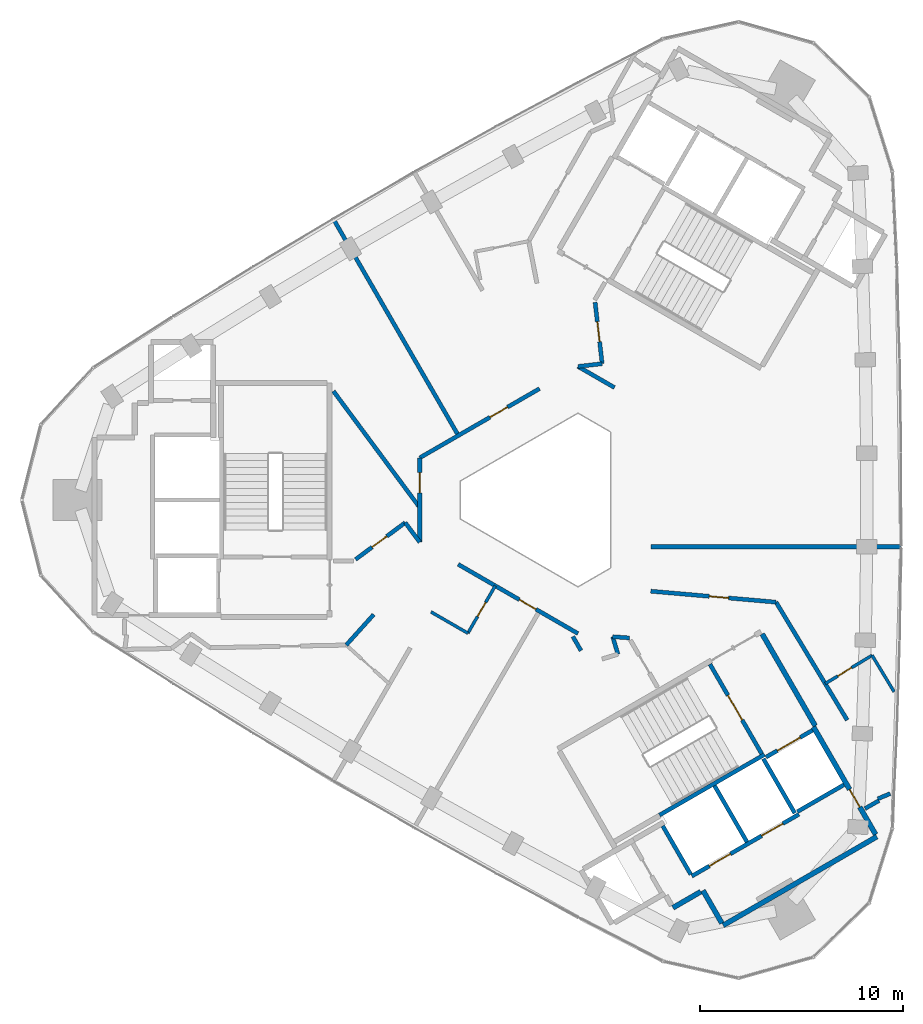
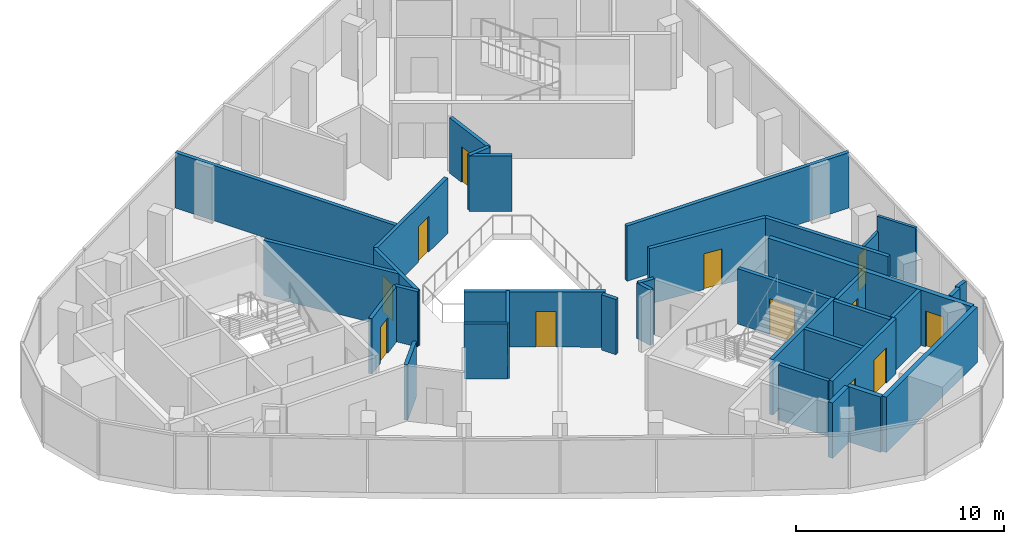
# One storey, part 7 of 10: 36 walls, 13 doors, 13 openings.
"""IFC4 building model written with IfcOpenShell, lengths in metres."""

from ifc_helpers import new_model, si_unit, direction, frame, frame_2d, origin, place, context, subcontext, project, spatial, rectangle, extrude, material, layer, layer_set, type_object, element, fill, save


model = new_model("IFC4")

# Units and contexts
model_context = context("Model", 3, precision=1e-05, world=origin(), true_north=direction((0.0, 1.0)))
body_context = subcontext(model_context, "Body", "Model", "MODEL_VIEW")
ifc_project = project(units=[si_unit("LENGTHUNIT", "METRE"), si_unit("AREAUNIT", "SQUARE_METRE"), si_unit("VOLUMEUNIT", "CUBIC_METRE"), si_unit("PLANEANGLEUNIT", "RADIAN"), si_unit("MASSUNIT", "GRAM", prefix="KILO")], contexts=[model_context])

# Site, building, storey
site_placement = place(None, origin())
site = spatial("IfcSite", under=ifc_project, at=site_placement, CompositionType="ELEMENT")
building_placement = place(site_placement, origin())
building = spatial("IfcBuilding", under=site, at=building_placement, Name="Tamra Quay Hotel Tower", CompositionType="ELEMENT")
storey_placement = place(building_placement, frame((0.0, 0.0, 294.60009765625)))
storey = spatial("IfcBuildingStorey", under=building, at=storey_placement, Name="L74", CompositionType="ELEMENT", Elevation=294.60009765625)

# Wall
ifc_material_1 = material(Name="Concrete M70", Category="concrete")
ifc_layer_1 = layer(ifc_material_1, 0.199951171875)
ifc_layer_set_1 = layer_set([ifc_layer_1], Name="Concrete M70 core wall 200")
wall_type_1 = type_object("IfcWallType", Name="Concrete M70 core wall 200", PredefinedType="SHEAR", material=ifc_layer_set_1)
wall_1_placement = place(storey_placement, frame((5.4189453125, -15.533935546875, 0.0), z_axis=(0.0, 0.0, 1.0), x_axis=(0.866029065029, 0.499993658486, 0.0)))
element("IfcWall", 1, at=wall_1_placement, inside=storey, type_object=wall_type_1, Name="CW2", PredefinedType="SHEAR", context=body_context, shape_type="SweptSolid", body=[
    extrude(rectangle(XDim=5.97412109375, YDim=0.199951171875, at=frame_2d((2.987060546875, 0.0))), origin(), (0.0, 0.0, 1.0), 3.25),
])

# Wall, openings, doors
wall_2_placement = place(storey_placement, frame((7.009765625, -18.54150390625, 0.0), z_axis=(0.0, 0.0, 1.0), x_axis=(0.866030299012, 0.499991521122, 0.0)))
wall_2 = element("IfcWall", 2, at=wall_2_placement, inside=storey, type_object=wall_type_1, Name="CW2", PredefinedType="SHEAR", context=body_context, shape_type="SweptSolid", body=[
    extrude(rectangle(XDim=6.10009765625, YDim=0.199951171875, at=frame_2d((3.050048828125, 0.0))), origin(), (0.0, 0.0, 1.0), 3.25),
])
opening_1_placement = place(wall_2_placement, frame((1.0, 0.0, 0.0)))
opening_1 = element("IfcOpeningElement", 3, at=opening_1_placement, cuts=wall_2, Name="Opening LD", PredefinedType="OPENING", context=body_context, shape_type="SweptSolid", body=[
    extrude(rectangle(XDim=1.199951171875, YDim=2.10009765625, at=frame_2d((0.60009765625, 1.050048828125))), frame((0.0, 0.10986328125, 0.0), z_axis=(0.0, -1.0, 0.0), x_axis=(1.0, 0.0, 0.0)), (0.0, 0.0, 1.0), 0.219970703125),
])
opening_2_placement = place(wall_2_placement, frame((3.982177734375, 0.0, 0.0)))
opening_2 = element("IfcOpeningElement", 4, at=opening_2_placement, cuts=wall_2, Name="Opening LD", PredefinedType="OPENING", context=body_context, shape_type="SweptSolid", body=[
    extrude(rectangle(XDim=1.199951171875, YDim=2.10009765625, at=frame_2d((0.60009765625, 1.050048828125))), frame((0.0, 0.10986328125, 0.0), z_axis=(0.0, -1.0, 0.0), x_axis=(1.0, 0.0, 0.0)), (0.0, 0.0, 1.0), 0.219970703125),
])
ifc_material_2 = material(Name="Landing door LD 1200 double door sliding")
door_type_1 = type_object("IfcDoorType", Name="Landing door LD 1200 double door sliding", OperationType="DOUBLE_DOOR_SLIDING", PredefinedType="DOOR", material=ifc_material_2)
door_1_placement = place(opening_1_placement, origin())
door_1 = element("IfcDoor", 5, at=door_1_placement, inside=storey, type_object=door_type_1, Name="LD", OperationType="DOUBLE_DOOR_SLIDING", OverallHeight=2.10009765625, OverallWidth=1.199951171875, PredefinedType="DOOR", context=body_context, shape_type="SweptSolid", body=[
    extrude(rectangle(XDim=1.199951171875, YDim=2.10009765625, at=frame_2d((0.60009765625, 1.050048828125))), frame((0.0, 0.02490234375, 0.0), z_axis=(0.0, -1.0, 0.0), x_axis=(1.0, 0.0, 0.0)), (0.0, 0.0, 1.0), 0.050048828125),
])
fill(opening_1, door_1)
door_2_placement = place(opening_2_placement, origin())
door_2 = element("IfcDoor", 6, at=door_2_placement, inside=storey, type_object=door_type_1, Name="LD", OperationType="DOUBLE_DOOR_SLIDING", OverallHeight=2.10009765625, OverallWidth=1.199951171875, PredefinedType="DOOR", context=body_context, shape_type="SweptSolid", body=[
    extrude(rectangle(XDim=1.199951171875, YDim=2.10009765625, at=frame_2d((0.60009765625, 1.050048828125))), frame((0.0, 0.02490234375, 0.0), z_axis=(0.0, -1.0, 0.0), x_axis=(1.0, 0.0, 0.0)), (0.0, 0.0, 1.0), 0.050048828125),
])
fill(opening_2, door_2)

# Wall, opening, door
wall_3_placement = place(storey_placement, frame((7.906494140625, -8.094482421875, 0.0), z_axis=(0.0, 0.0, 1.0), x_axis=(0.500027839223, -0.866009330205, 0.0)))
wall_3 = element("IfcWall", 7, at=wall_3_placement, inside=storey, type_object=wall_type_1, Name="CW2", PredefinedType="SHEAR", context=body_context, shape_type="SweptSolid", body=[
    extrude(rectangle(XDim=5.097900390625, YDim=0.199951171875, at=frame_2d((2.548828125, 0.0))), origin(), (0.0, 0.0, 1.0), 3.25),
])
opening_3_placement = place(wall_3_placement, frame((1.77392578125, 0.0, 0.0)))
opening_3 = element("IfcOpeningElement", 8, at=opening_3_placement, cuts=wall_3, Name="Opening FD2", PredefinedType="OPENING", context=body_context, shape_type="SweptSolid", body=[
    extrude(rectangle(XDim=1.39990234375, YDim=2.10009765625, at=frame_2d((0.699951171875, 1.050048828125))), frame((0.0, 0.10986328125, 0.0), z_axis=(0.0, -1.0, 0.0), x_axis=(1.0, 0.0, 0.0)), (0.0, 0.0, 1.0), 0.219970703125),
])
ifc_material_3 = material(Name="Core door FD2 1400x2100 LH")
door_type_2 = type_object("IfcDoorType", Name="Core door FD2 1400x2100 LH", OperationType="NOTDEFINED", PredefinedType="DOOR", material=ifc_material_3)
door_3_placement = place(opening_3_placement, origin())
door_3 = element("IfcDoor", 9, at=door_3_placement, inside=storey, type_object=door_type_2, Name="FD2", OperationType="SINGLE_SWING_LEFT", OverallHeight=2.10009765625, OverallWidth=1.39990234375, PredefinedType="DOOR", context=body_context, shape_type="SweptSolid", body=[
    extrude(rectangle(XDim=1.39990234375, YDim=2.10009765625, at=frame_2d((0.699951171875, 1.050048828125))), frame((0.0, 0.02490234375, 0.0), z_axis=(0.0, -1.0, 0.0), x_axis=(1.0, 0.0, 0.0)), (0.0, 0.0, 1.0), 0.050048828125),
])
fill(opening_3, door_3)

# Walls
wall_4_placement = place(storey_placement, frame((8.131591796875, -14.084228515625, 0.0), z_axis=(0.0, 0.0, 1.0), x_axis=(0.499997778408, -0.866026686418, 0.0)))
element("IfcWall", 10, at=wall_4_placement, inside=storey, type_object=wall_type_1, Name="CW2", PredefinedType="SHEAR", context=body_context, shape_type="SweptSolid", body=[
    extrude(rectangle(XDim=3.1982421875, YDim=0.199951171875, at=frame_2d((1.59912109375, 0.0))), origin(), (0.0, 0.0, 1.0), 3.25),
])
wall_5_placement = place(storey_placement, frame((6.959716796875, -18.455078125, 0.0), z_axis=(0.0, 0.0, 1.0), x_axis=(-0.499926705758, 0.866067716099, 0.0)))
element("IfcWall", 11, at=wall_5_placement, inside=storey, type_object=wall_type_1, Name="CW2", PredefinedType="SHEAR", context=body_context, shape_type="SweptSolid", body=[
    extrude(rectangle(XDim=2.75927734375, YDim=0.199951171875, at=frame_2d((1.379638671875, 0.0))), origin(), (0.0, 0.0, 1.0), 3.25),
])
wall_6_placement = place(storey_placement, frame((12.087646484375, -15.4365234375, 0.0), z_axis=(0.0, 0.0, 1.0), x_axis=(-0.500026960575, 0.86600983753, 0.0)))
element("IfcWall", 12, at=wall_6_placement, inside=storey, type_object=wall_type_1, Name="CW2", PredefinedType="SHEAR", context=body_context, shape_type="SweptSolid", body=[
    extrude(rectangle(XDim=3.099853515625, YDim=0.199951171875, at=frame_2d((1.5498046875, 0.0))), origin(), (0.0, 0.0, 1.0), 3.25),
])

# Wall, opening, door
wall_7_placement = place(storey_placement, frame((10.666015625, -12.677734375, 0.0), z_axis=(0.0, 0.0, 1.0), x_axis=(0.866018407898, 0.500012117035, 0.0)))
wall_7 = element("IfcWall", 13, at=wall_7_placement, inside=storey, type_object=wall_type_1, Name="CW2", PredefinedType="SHEAR", context=body_context, shape_type="SweptSolid", body=[
    extrude(rectangle(XDim=2.65087890625, YDim=0.199951171875, at=frame_2d((1.325439453125, 0.0))), origin(), (0.0, 0.0, 1.0), 3.25),
])
opening_4_placement = place(wall_7_placement, frame((0.65185546875, 0.0, 0.0)))
opening_4 = element("IfcOpeningElement", 14, at=opening_4_placement, cuts=wall_7, Name="Opening LD", PredefinedType="OPENING", context=body_context, shape_type="SweptSolid", body=[
    extrude(rectangle(XDim=1.300048828125, YDim=2.10009765625, at=frame_2d((0.64990234375, 1.050048828125))), frame((0.0, 0.10986328125, 0.0), z_axis=(0.0, -1.0, 0.0), x_axis=(1.0, 0.0, 0.0)), (0.0, 0.0, 1.0), 0.219970703125),
])
ifc_material_4 = material(Name="Landing door LD 1300 sliding to left")
door_type_3 = type_object("IfcDoorType", Name="Landing door LD 1300 sliding to left", OperationType="NOTDEFINED", PredefinedType="DOOR", material=ifc_material_4)
door_4_placement = place(opening_4_placement, origin())
door_4 = element("IfcDoor", 15, at=door_4_placement, inside=storey, type_object=door_type_3, Name="LD", OperationType="SLIDING_TO_LEFT", OverallHeight=2.10009765625, OverallWidth=1.300048828125, PredefinedType="DOOR", context=body_context, shape_type="SweptSolid", body=[
    extrude(rectangle(XDim=1.300048828125, YDim=2.10009765625, at=frame_2d((0.64990234375, 1.050048828125))), frame((0.0, 0.02490234375, 0.0), z_axis=(0.0, -1.0, 0.0), x_axis=(1.0, 0.0, 0.0)), (0.0, 0.0, 1.0), 0.050048828125),
])
fill(opening_4, door_4)

# Walls
wall_8_placement = place(storey_placement, frame((14.51171875, -14.037109375, 0.0), z_axis=(0.0, 0.0, 1.0), x_axis=(-0.866018407898, -0.500012117035, 0.0)))
element("IfcWall", 16, at=wall_8_placement, inside=storey, type_object=wall_type_1, Name="CW2", PredefinedType="SHEAR", context=body_context, shape_type="SweptSolid", body=[
    extrude(rectangle(XDim=2.65087890625, YDim=0.199951171875, at=frame_2d((1.325439453125, 0.0))), origin(), (0.0, 0.0, 1.0), 3.25),
])
ifc_layer_2 = layer(ifc_material_1, 0.25)
ifc_layer_set_2 = layer_set([ifc_layer_2], Name="Concrete M70 core wall 250")
wall_type_2 = type_object("IfcWallType", Name="Concrete M70 core wall 250", PredefinedType="SHEAR", material=ifc_layer_set_2)
wall_9_placement = place(storey_placement, frame((16.13330078125, -16.59375, 0.0), z_axis=(0.0, 0.0, 1.0), x_axis=(-0.866022959057, -0.500004234368, 0.0)))
element("IfcWall", 17, at=wall_9_placement, inside=storey, type_object=wall_type_2, Name="CW1", PredefinedType="SHEAR", context=body_context, shape_type="SweptSolid", body=[
    extrude(rectangle(XDim=8.75, YDim=0.25, at=frame_2d((4.375, 0.0))), origin(), (0.0, 0.0, 1.0), 3.25),
])

# Wall, opening, door
wall_10_placement = place(storey_placement, frame((13.00830078125, -11.18115234375, 0.0), z_axis=(0.0, 0.0, 1.0), x_axis=(0.500001955336, -0.866024274868, 0.0)))
wall_10 = element("IfcWall", 18, at=wall_10_placement, inside=storey, type_object=wall_type_2, Name="CW1", PredefinedType="SHEAR", context=body_context, shape_type="SweptSolid", body=[
    extrude(rectangle(XDim=6.12451171875, YDim=0.25, at=frame_2d((3.062255859375, 0.0))), origin(), (0.0, 0.0, 1.0), 3.25),
])
opening_5_placement = place(wall_10_placement, frame((3.562744140625, 0.0, 0.0)))
opening_5 = element("IfcOpeningElement", 19, at=opening_5_placement, cuts=wall_10, Name="Opening FD3", PredefinedType="OPENING", context=body_context, shape_type="SweptSolid", body=[
    extrude(rectangle(XDim=1.0, YDim=2.10009765625, at=frame_2d((0.5, 1.050048828125))), frame((0.0, 0.135009765625, 0.0), z_axis=(0.0, -1.0, 0.0), x_axis=(1.0, 0.0, 0.0)), (0.0, 0.0, 1.0), 0.27001953125),
])
ifc_material_5 = material(Name="Core door FD3 1000x2100 LH")
door_type_4 = type_object("IfcDoorType", Name="Core door FD3 1000x2100 LH", OperationType="NOTDEFINED", PredefinedType="DOOR", material=ifc_material_5)
door_5_placement = place(opening_5_placement, origin())
door_5 = element("IfcDoor", 20, at=door_5_placement, inside=storey, type_object=door_type_4, Name="FD3", OperationType="SINGLE_SWING_LEFT", OverallHeight=2.10009765625, OverallWidth=1.0, PredefinedType="DOOR", context=body_context, shape_type="SweptSolid", body=[
    extrude(rectangle(XDim=1.0, YDim=2.10009765625, at=frame_2d((0.5, 1.050048828125))), frame((0.0, 0.02490234375, 0.0), z_axis=(0.0, -1.0, 0.0), x_axis=(1.0, 0.0, 0.0)), (0.0, 0.0, 1.0), 0.050048828125),
])
fill(opening_5, door_5)

# Walls
wall_11_placement = place(storey_placement, frame((10.482666015625, -6.6064453125, 0.0), z_axis=(0.0, 0.0, 1.0), x_axis=(0.49999885962, -0.866026062182, 0.0)))
element("IfcWall", 21, at=wall_11_placement, inside=storey, type_object=wall_type_2, Name="CW1", PredefinedType="SHEAR", context=body_context, shape_type="SweptSolid", body=[
    extrude(rectangle(XDim=5.224609375, YDim=0.25, at=frame_2d((2.6123046875, 0.0))), origin(), (0.0, 0.0, 1.0), 3.25),
])
wall_12_placement = place(storey_placement, frame((8.492919921875, -20.860107421875, 0.0), z_axis=(0.0, 0.0, 1.0), x_axis=(-0.500039802285, 0.866002422705, 0.0)))
element("IfcWall", 22, at=wall_12_placement, inside=storey, type_object=wall_type_2, Name="CW1", PredefinedType="SHEAR", context=body_context, shape_type="SweptSolid", body=[
    extrude(rectangle(XDim=1.864501953125, YDim=0.25, at=frame_2d((0.93212890625, 0.0))), origin(), (0.0, 0.0, 1.0), 3.25),
])
wall_13_placement = place(storey_placement, frame((7.451904296875, -19.30810546875, 0.0), z_axis=(0.0, 0.0, 1.0), x_axis=(-0.866044474677, -0.49996696679, 0.0)))
element("IfcWall", 23, at=wall_13_placement, inside=storey, type_object=wall_type_2, Name="CW1", PredefinedType="SHEAR", context=body_context, shape_type="SweptSolid", body=[
    extrude(rectangle(XDim=1.58447265625, YDim=0.25, at=frame_2d((0.792236328125, 0.0))), origin(), (0.0, 0.0, 1.0), 3.25),
])
ifc_material_6 = material(Name="Partition corridor wall")
ifc_layer_3 = layer(ifc_material_6, 0.199951171875)
ifc_layer_set_3 = layer_set([ifc_layer_3], Name="Partition corridor wall")
wall_type_3 = type_object("IfcWallType", Name="Partition corridor wall", PredefinedType="PARTITIONING", material=ifc_layer_set_3)
wall_14_placement = place(storey_placement, frame((-10.02294921875, -7.15087890625, 0.0), z_axis=(0.0, 0.0, 1.0), x_axis=(0.668804583793, 0.743438248073, 0.0)))
element("IfcWall", 24, at=wall_14_placement, inside=storey, type_object=wall_type_3, Name="W-C", PredefinedType="PARTITIONING", context=body_context, shape_type="SweptSolid", body=[
    extrude(rectangle(XDim=2.021484375, YDim=0.199951171875, at=frame_2d((1.0107421875, 0.0))), origin(), (0.0, 0.0, 1.0), 3.25),
])

# Wall, opening, door
wall_15_placement = place(storey_placement, frame((-7.114990234375, -1.114990234375, 0.0), z_axis=(0.0, 0.0, 1.0), x_axis=(-0.803344165632, -0.595515030495, 0.0)))
wall_15 = element("IfcWall", 25, at=wall_15_placement, inside=storey, type_object=wall_type_3, Name="W-C", PredefinedType="PARTITIONING", context=body_context, shape_type="SweptSolid", body=[
    extrude(rectangle(XDim=3.046142578125, YDim=0.199951171875, at=frame_2d((1.52294921875, 0.0))), origin(), (0.0, 0.0, 1.0), 3.25),
])
opening_6_placement = place(wall_15_placement, frame((1.1328125, 0.0, 0.0)))
opening_6 = element("IfcOpeningElement", 26, at=opening_6_placement, cuts=wall_15, Name="Opening L74-D008", PredefinedType="OPENING", context=body_context, shape_type="SweptSolid", body=[
    extrude(rectangle(XDim=0.89990234375, YDim=2.10009765625, at=frame_2d((0.449951171875, 1.050048828125))), frame((0.0, 0.10986328125, 0.0), z_axis=(0.0, -1.0, 0.0), x_axis=(1.0, 0.0, 0.0)), (0.0, 0.0, 1.0), 0.219970703125),
])
ifc_material_7 = material(Name="Door service room 900x2100")
door_type_5 = type_object("IfcDoorType", Name="Door service room 900x2100", OperationType="NOTDEFINED", PredefinedType="DOOR", material=ifc_material_7)
door_6_placement = place(opening_6_placement, origin())
door_6 = element("IfcDoor", 27, at=door_6_placement, inside=storey, type_object=door_type_5, Name="L74-D008", OperationType="SINGLE_SWING_LEFT", OverallHeight=2.10009765625, OverallWidth=0.89990234375, PredefinedType="DOOR", context=body_context, shape_type="SweptSolid", body=[
    extrude(rectangle(XDim=0.89990234375, YDim=2.10009765625, at=frame_2d((0.449951171875, 1.050048828125))), frame((0.0, 0.02490234375, 0.0), z_axis=(0.0, -1.0, 0.0), x_axis=(1.0, 0.0, 0.0)), (0.0, 0.0, 1.0), 0.050048828125),
])
fill(opening_6, door_6)

# Wall
wall_16_placement = place(storey_placement, frame((-7.114013671875, -1.114990234375, 0.0), z_axis=(0.0, 0.0, 1.0), x_axis=(0.595690139668, -0.803214328496, 0.0)))
element("IfcWall", 28, at=wall_16_placement, inside=storey, type_object=wall_type_3, Name="W-C", PredefinedType="PARTITIONING", context=body_context, shape_type="SweptSolid", body=[
    extrude(rectangle(XDim=1.19873046875, YDim=0.199951171875, at=frame_2d((0.599365234375, 0.0))), origin(), (0.0, 0.0, 1.0), 3.25),
])

# Wall, opening, door
wall_17_placement = place(storey_placement, frame((-6.39990234375, 2.0791015625, 0.0), z_axis=(0.0, 0.0, 1.0), x_axis=(0.866037708501, 0.499978687001, 0.0)))
wall_17 = element("IfcWall", 29, at=wall_17_placement, inside=storey, type_object=wall_type_3, Name="W-C", PredefinedType="PARTITIONING", context=body_context, shape_type="SweptSolid", body=[
    extrude(rectangle(XDim=6.818115234375, YDim=0.199951171875, at=frame_2d((3.4091796875, 0.0))), origin(), (0.0, 0.0, 1.0), 3.25),
])
opening_7_placement = place(wall_17_placement, frame((4.003173828125, 0.0, 0.0)))
opening_7 = element("IfcOpeningElement", 30, at=opening_7_placement, cuts=wall_17, Name="Opening L74-D006", PredefinedType="OPENING", context=body_context, shape_type="SweptSolid", body=[
    extrude(rectangle(XDim=1.0, YDim=2.10009765625, at=frame_2d((0.5, 1.050048828125))), frame((0.0, 0.10986328125, 0.0), z_axis=(0.0, -1.0, 0.0), x_axis=(1.0, 0.0, 0.0)), (0.0, 0.0, 1.0), 0.219970703125),
])
ifc_material_8 = material(Name="Door guest room 1000x2100")
door_type_6 = type_object("IfcDoorType", Name="Door guest room 1000x2100", OperationType="NOTDEFINED", PredefinedType="DOOR", material=ifc_material_8)
door_7_placement = place(opening_7_placement, origin())
door_7 = element("IfcDoor", 31, at=door_7_placement, inside=storey, type_object=door_type_6, Name="L74-D006", OperationType="SINGLE_SWING_LEFT", OverallHeight=2.10009765625, OverallWidth=1.0, PredefinedType="DOOR", context=body_context, shape_type="SweptSolid", body=[
    extrude(rectangle(XDim=1.0, YDim=2.10009765625, at=frame_2d((0.5, 1.050048828125))), frame((0.0, 0.02490234375, 0.0), z_axis=(0.0, -1.0, 0.0), x_axis=(1.0, 0.0, 0.0)), (0.0, 0.0, 1.0), 0.050048828125),
])
fill(opening_7, door_7)

wall_18_placement = place(storey_placement, frame((-6.39990234375, -2.077880859375, 0.0), z_axis=(0.0, 0.0, 1.0), x_axis=(0.0, 1.0, 0.0)))
wall_18 = element("IfcWall", 32, at=wall_18_placement, inside=storey, type_object=wall_type_3, Name="W-C", PredefinedType="PARTITIONING", context=body_context, shape_type="SweptSolid", body=[
    extrude(rectangle(XDim=4.156982421875, YDim=0.199951171875, at=frame_2d((2.07861328125, 0.0))), origin(), (0.0, 0.0, 1.0), 3.25),
])
opening_8_placement = place(wall_18_placement, frame((2.426025390625, 0.0, 0.0)))
opening_8 = element("IfcOpeningElement", 33, at=opening_8_placement, cuts=wall_18, Name="Opening L74-D007", PredefinedType="OPENING", context=body_context, shape_type="SweptSolid", body=[
    extrude(rectangle(XDim=1.0, YDim=2.10009765625, at=frame_2d((0.5, 1.050048828125))), frame((0.0, 0.10986328125, 0.0), z_axis=(0.0, -1.0, 0.0), x_axis=(1.0, 0.0, 0.0)), (0.0, 0.0, 1.0), 0.219970703125),
])
door_8_placement = place(opening_8_placement, origin())
door_8 = element("IfcDoor", 34, at=door_8_placement, inside=storey, type_object=door_type_6, Name="L74-D007", OperationType="SINGLE_SWING_LEFT", OverallHeight=2.10009765625, OverallWidth=1.0, PredefinedType="DOOR", context=body_context, shape_type="SweptSolid", body=[
    extrude(rectangle(XDim=1.0, YDim=2.10009765625, at=frame_2d((0.5, 1.050048828125))), frame((0.0, 0.02490234375, 0.0), z_axis=(0.0, -1.0, 0.0), x_axis=(1.0, 0.0, 0.0)), (0.0, 0.0, 1.0), 0.050048828125),
])
fill(opening_8, door_8)

wall_19_placement = place(storey_placement, frame((-4.504638671875, -3.171142578125, 0.0), z_axis=(0.0, 0.0, 1.0), x_axis=(0.865849219471, -0.500305036094, 0.0)))
wall_19 = element("IfcWall", 35, at=wall_19_placement, inside=storey, type_object=wall_type_3, Name="W-C", PredefinedType="PARTITIONING", context=body_context, shape_type="SweptSolid", body=[
    extrude(rectangle(XDim=6.819091796875, YDim=0.199951171875, at=frame_2d((3.40966796875, 0.0))), origin(), (0.0, 0.0, 1.0), 3.25),
])
opening_9_placement = place(wall_19_placement, frame((3.480712890625, 0.0, 0.0)))
opening_9 = element("IfcOpeningElement", 36, at=opening_9_placement, cuts=wall_19, Name="Opening L74-D011", PredefinedType="OPENING", context=body_context, shape_type="SweptSolid", body=[
    extrude(rectangle(XDim=0.949951171875, YDim=2.10009765625, at=frame_2d((0.47509765625, 1.050048828125))), frame((0.0, 0.10986328125, 0.0), z_axis=(0.0, -1.0, 0.0), x_axis=(1.0, 0.0, 0.0)), (0.0, 0.0, 1.0), 0.219970703125),
])
ifc_material_9 = material(Name="Door guest room 950x2100")
door_type_7 = type_object("IfcDoorType", Name="Door guest room 950x2100", OperationType="NOTDEFINED", PredefinedType="DOOR", material=ifc_material_9)
door_9_placement = place(opening_9_placement, frame((0.949951171875, 0.0, 0.0), z_axis=(0.0, 0.0, 1.0), x_axis=(-1.0, 0.0, 0.0)))
door_9 = element("IfcDoor", 37, at=door_9_placement, inside=storey, type_object=door_type_7, Name="L74-D011", OperationType="SINGLE_SWING_LEFT", OverallHeight=2.10009765625, OverallWidth=0.949951171875, PredefinedType="DOOR", context=body_context, shape_type="SweptSolid", body=[
    extrude(rectangle(XDim=0.949951171875, YDim=2.10009765625, at=frame_2d((0.47509765625, 1.050048828125))), frame((0.0, 0.02490234375, 0.0), z_axis=(0.0, -1.0, 0.0), x_axis=(1.0, 0.0, 0.0)), (0.0, 0.0, 1.0), 0.050048828125),
])
fill(opening_9, door_9)

# Walls
wall_20_placement = place(storey_placement, frame((1.14697265625, -6.72802734375, 0.0), z_axis=(0.0, 0.0, 1.0), x_axis=(0.500080775649, -0.865978762919, 0.0)))
element("IfcWall", 38, at=wall_20_placement, inside=storey, type_object=wall_type_3, Name="W-C", PredefinedType="PARTITIONING", context=body_context, shape_type="SweptSolid", body=[
    extrude(rectangle(XDim=0.805908203125, YDim=0.199951171875, at=frame_2d((0.40283203125, 0.0))), origin(), (0.0, 0.0, 1.0), 3.25),
])
wall_21_placement = place(storey_placement, frame((1.39990234375, 6.58203125, 0.0), z_axis=(0.0, 0.0, 1.0), x_axis=(0.993556915844, 0.11333426216, 0.0)))
element("IfcWall", 39, at=wall_21_placement, inside=storey, type_object=wall_type_3, Name="W-C", PredefinedType="PARTITIONING", context=body_context, shape_type="SweptSolid", body=[
    extrude(rectangle(XDim=1.199951171875, YDim=0.199951171875, at=frame_2d((0.60009765625, 0.0))), origin(), (0.0, 0.0, 1.0), 3.25),
])
wall_22_placement = place(storey_placement, frame((1.39990234375, 6.58203125, 0.0), z_axis=(0.0, 0.0, 1.0), x_axis=(0.866066271601, -0.499929208183, 0.0)))
element("IfcWall", 40, at=wall_22_placement, inside=storey, type_object=wall_type_3, Name="W-C", PredefinedType="PARTITIONING", context=body_context, shape_type="SweptSolid", body=[
    extrude(rectangle(XDim=2.078369140625, YDim=0.199951171875, at=frame_2d((1.0390625, 0.0))), origin(), (0.0, 0.0, 1.0), 3.25),
])

# Wall, opening, door
wall_23_placement = place(storey_placement, frame((2.592041015625, 6.718994140625, 0.0), z_axis=(0.0, 0.0, 1.0), x_axis=(-0.114027951455, 0.993477541914, 0.0)))
wall_23 = element("IfcWall", 41, at=wall_23_placement, inside=storey, type_object=wall_type_3, Name="W-C", PredefinedType="PARTITIONING", context=body_context, shape_type="SweptSolid", body=[
    extrude(rectangle(XDim=3.046630859375, YDim=0.199951171875, at=frame_2d((1.5234375, 0.0))), origin(), (0.0, 0.0, 1.0), 3.25),
])
opening_10_placement = place(wall_23_placement, frame((1.082763671875, 0.0, 0.0)))
opening_10 = element("IfcOpeningElement", 42, at=opening_10_placement, cuts=wall_23, Name="Opening L74-D003", PredefinedType="OPENING", context=body_context, shape_type="SweptSolid", body=[
    extrude(rectangle(XDim=1.0, YDim=2.10009765625, at=frame_2d((0.5, 1.050048828125))), frame((0.0, 0.10986328125, 0.0), z_axis=(0.0, -1.0, 0.0), x_axis=(1.0, 0.0, 0.0)), (0.0, 0.0, 1.0), 0.219970703125),
])
door_10_placement = place(opening_10_placement, origin())
door_10 = element("IfcDoor", 43, at=door_10_placement, inside=storey, type_object=door_type_6, Name="L74-D003", OperationType="SINGLE_SWING_LEFT", OverallHeight=2.10009765625, OverallWidth=1.0, PredefinedType="DOOR", context=body_context, shape_type="SweptSolid", body=[
    extrude(rectangle(XDim=1.0, YDim=2.10009765625, at=frame_2d((0.5, 1.050048828125))), frame((0.0, 0.02490234375, 0.0), z_axis=(0.0, -1.0, 0.0), x_axis=(1.0, 0.0, 0.0)), (0.0, 0.0, 1.0), 0.050048828125),
])
fill(opening_10, door_10)

# Walls
wall_24_placement = place(storey_placement, frame((3.110107421875, -6.739013671875, 0.0), z_axis=(0.0, 0.0, 1.0), x_axis=(0.291053676179, -0.95670672496, 0.0)))
element("IfcWall", 44, at=wall_24_placement, inside=storey, type_object=wall_type_3, Name="W-C", PredefinedType="PARTITIONING", context=body_context, shape_type="SweptSolid", body=[
    extrude(rectangle(XDim=0.900146484375, YDim=0.199951171875, at=frame_2d((0.4501953125, 0.0))), origin(), (0.0, 0.0, 1.0), 3.25),
])
wall_25_placement = place(storey_placement, frame((3.110107421875, -6.739013671875, 0.0), z_axis=(0.0, 0.0, 1.0), x_axis=(0.997306047238, -0.073352901386, 0.0)))
element("IfcWall", 45, at=wall_25_placement, inside=storey, type_object=wall_type_3, Name="W-C", PredefinedType="PARTITIONING", context=body_context, shape_type="SweptSolid", body=[
    extrude(rectangle(XDim=0.83203125, YDim=0.199951171875, at=frame_2d((0.416015625, 0.0))), origin(), (0.0, 0.0, 1.0), 3.25),
])

# Wall, opening, door
wall_26_placement = place(storey_placement, frame((4.988037109375, -4.4951171875, 0.0), z_axis=(0.0, 0.0, 1.0), x_axis=(0.996187344936, -0.087239748904, 0.0)))
wall_26 = element("IfcWall", 46, at=wall_26_placement, inside=storey, type_object=wall_type_3, Name="W-C", PredefinedType="PARTITIONING", context=body_context, shape_type="SweptSolid", body=[
    extrude(rectangle(XDim=6.19873046875, YDim=0.199951171875, at=frame_2d((3.099365234375, 0.0))), origin(), (0.0, 0.0, 1.0), 3.25),
])
opening_11_placement = place(wall_26_placement, frame((2.898681640625, 0.0, 0.0)))
opening_11 = element("IfcOpeningElement", 47, at=opening_11_placement, cuts=wall_26, Name="Opening L74-D001", PredefinedType="OPENING", context=body_context, shape_type="SweptSolid", body=[
    extrude(rectangle(XDim=0.949951171875, YDim=2.10009765625, at=frame_2d((0.47509765625, 1.050048828125))), frame((0.0, 0.10986328125, 0.0), z_axis=(0.0, -1.0, 0.0), x_axis=(1.0, 0.0, 0.0)), (0.0, 0.0, 1.0), 0.219970703125),
])
door_11_placement = place(opening_11_placement, frame((0.949951171875, 0.0, 0.0), z_axis=(0.0, 0.0, 1.0), x_axis=(-1.0, 0.0, 0.0)))
door_11 = element("IfcDoor", 48, at=door_11_placement, inside=storey, type_object=door_type_7, Name="L74-D001", OperationType="SINGLE_SWING_LEFT", OverallHeight=2.10009765625, OverallWidth=0.949951171875, PredefinedType="DOOR", context=body_context, shape_type="SweptSolid", body=[
    extrude(rectangle(XDim=0.949951171875, YDim=2.10009765625, at=frame_2d((0.47509765625, 1.050048828125))), frame((0.0, 0.02490234375, 0.0), z_axis=(0.0, -1.0, 0.0), x_axis=(1.0, 0.0, 0.0)), (0.0, 0.0, 1.0), 0.050048828125),
])
fill(opening_11, door_11)

# Walls
wall_27_placement = place(storey_placement, frame((11.1630859375, -5.035888671875, 0.0), z_axis=(0.0, 0.0, 1.0), x_axis=(0.516730398198, -0.856148173845, 0.0)))
element("IfcWall", 49, at=wall_27_placement, inside=storey, type_object=wall_type_3, Name="W-C", PredefinedType="PARTITIONING", context=body_context, shape_type="SweptSolid", body=[
    extrude(rectangle(XDim=6.790771484375, YDim=0.199951171875, at=frame_2d((3.3955078125, 0.0))), origin(), (0.0, 0.0, 1.0), 3.25),
])
wall_28_placement = place(storey_placement, frame((15.5498046875, -15.213134765625, 0.0), z_axis=(0.0, 0.0, 1.0), x_axis=(0.865989998118, 0.500061319399, 0.0)))
element("IfcWall", 50, at=wall_28_placement, inside=storey, type_object=wall_type_3, Name="W-C", PredefinedType="PARTITIONING", context=body_context, shape_type="SweptSolid", body=[
    extrude(rectangle(XDim=0.7900390625, YDim=0.199951171875, at=frame_2d((0.39501953125, 0.0))), origin(), (0.0, 0.0, 1.0), 3.25),
])
wall_29_placement = place(storey_placement, frame((16.181884765625, -14.72802734375, 0.0), z_axis=(0.0, 0.0, 1.0), x_axis=(0.922058491377, 0.387050563207, 0.0)))
element("IfcWall", 51, at=wall_29_placement, inside=storey, type_object=wall_type_3, Name="W-C", PredefinedType="PARTITIONING", context=body_context, shape_type="SweptSolid", body=[
    extrude(rectangle(XDim=0.66162109375, YDim=0.199951171875, at=frame_2d((0.330810546875, 0.0))), origin(), (0.0, 0.0, 1.0), 3.25),
])
ifc_material_10 = material(Name="Partition en-suite wall")
ifc_layer_4 = layer(ifc_material_10, 0.14990234375)
ifc_layer_set_4 = layer_set([ifc_layer_4], Name="Partition en-suite wall")
wall_type_4 = type_object("IfcWallType", Name="Partition en-suite wall", PredefinedType="PARTITIONING", material=ifc_layer_set_4)
wall_30_placement = place(storey_placement, frame((-5.844970703125, -5.51611328125, 0.0), z_axis=(0.0, 0.0, 1.0), x_axis=(0.865972526687, -0.500091574638, 0.0)))
element("IfcWall", 52, at=wall_30_placement, inside=storey, type_object=wall_type_4, Name="W-E", PredefinedType="PARTITIONING", context=body_context, shape_type="SweptSolid", body=[
    extrude(rectangle(XDim=2.09912109375, YDim=0.14990234375, at=frame_2d((1.049560546875, 0.0))), origin(), (0.0, 0.0, 1.0), 3.25),
])

# Wall, opening, door
wall_31_placement = place(storey_placement, frame((-4.027099609375, -6.56591796875, 0.0), z_axis=(0.0, 0.0, 1.0), x_axis=(0.500358939419, 0.865818070812, 0.0)))
wall_31 = element("IfcWall", 53, at=wall_31_placement, inside=storey, type_object=wall_type_4, Name="W-E", PredefinedType="PARTITIONING", context=body_context, shape_type="SweptSolid", body=[
    extrude(rectangle(XDim=2.7001953125, YDim=0.14990234375, at=frame_2d((1.35009765625, 0.0))), origin(), (0.0, 0.0, 1.0), 3.25),
])
opening_12_placement = place(wall_31_placement, frame((0.949951171875, 0.0, 0.0)))
opening_12 = element("IfcOpeningElement", 54, at=opening_12_placement, cuts=wall_31, Name="Opening L74-D012", PredefinedType="OPENING", context=body_context, shape_type="SweptSolid", body=[
    extrude(rectangle(XDim=0.800048828125, YDim=2.10009765625, at=frame_2d((0.39990234375, 1.050048828125))), frame((0.0, 0.0849609375, 0.0), z_axis=(0.0, -1.0, 0.0), x_axis=(1.0, 0.0, 0.0)), (0.0, 0.0, 1.0), 0.169921875),
])
ifc_material_11 = material(Name="Door en-suite 800x2100")
door_type_8 = type_object("IfcDoorType", Name="Door en-suite 800x2100", OperationType="NOTDEFINED", PredefinedType="DOOR", material=ifc_material_11)
door_12_placement = place(opening_12_placement, frame((0.800048828125, 0.0, 0.0), z_axis=(0.0, 0.0, 1.0), x_axis=(-1.0, 0.0, 0.0)))
door_12 = element("IfcDoor", 55, at=door_12_placement, inside=storey, type_object=door_type_8, Name="L74-D012", OperationType="SINGLE_SWING_LEFT", OverallHeight=2.10009765625, OverallWidth=0.800048828125, PredefinedType="DOOR", context=body_context, shape_type="SweptSolid", body=[
    extrude(rectangle(XDim=0.800048828125, YDim=2.10009765625, at=frame_2d((0.39990234375, 1.050048828125))), frame((0.0, 0.02490234375, 0.0), z_axis=(0.0, -1.0, 0.0), x_axis=(1.0, 0.0, 0.0)), (0.0, 0.0, 1.0), 0.050048828125),
])
fill(opening_12, door_12)

wall_32_placement = place(storey_placement, frame((13.5869140625, -9.052001953125, 0.0), z_axis=(0.0, 0.0, 1.0), x_axis=(0.856117294569, 0.516781557275, 0.0)))
wall_32 = element("IfcWall", 56, at=wall_32_placement, inside=storey, type_object=wall_type_4, Name="W-E", PredefinedType="PARTITIONING", context=body_context, shape_type="SweptSolid", body=[
    extrude(rectangle(XDim=2.699462890625, YDim=0.14990234375, at=frame_2d((1.349609375, 0.0))), origin(), (0.0, 0.0, 1.0), 2.349853515625),
])
opening_13_placement = place(wall_32_placement, frame((0.724853515625, 0.0, 0.0)))
opening_13 = element("IfcOpeningElement", 57, at=opening_13_placement, cuts=wall_32, Name="Opening L74-D002", PredefinedType="OPENING", context=body_context, shape_type="SweptSolid", body=[
    extrude(rectangle(XDim=0.800048828125, YDim=2.10009765625, at=frame_2d((0.39990234375, 1.050048828125))), frame((0.0, 0.0849609375, 0.0), z_axis=(0.0, -1.0, 0.0), x_axis=(1.0, 0.0, 0.0)), (0.0, 0.0, 1.0), 0.169921875),
])
door_13_placement = place(opening_13_placement, origin())
door_13 = element("IfcDoor", 58, at=door_13_placement, inside=storey, type_object=door_type_8, Name="L74-D002", OperationType="SINGLE_SWING_LEFT", OverallHeight=2.10009765625, OverallWidth=0.800048828125, PredefinedType="DOOR", context=body_context, shape_type="SweptSolid", body=[
    extrude(rectangle(XDim=0.800048828125, YDim=2.10009765625, at=frame_2d((0.39990234375, 1.050048828125))), frame((0.0, 0.02490234375, 0.0), z_axis=(0.0, -1.0, 0.0), x_axis=(1.0, 0.0, 0.0)), (0.0, 0.0, 1.0), 0.050048828125),
])
fill(opening_13, door_13)

# Walls
wall_33_placement = place(storey_placement, frame((15.89794921875, -7.656982421875, 0.0), z_axis=(0.0, 0.0, 1.0), x_axis=(0.516836936411, -0.856083863393, 0.0)))
element("IfcWall", 59, at=wall_33_placement, inside=storey, type_object=wall_type_4, Name="W-E", PredefinedType="PARTITIONING", context=body_context, shape_type="SweptSolid", body=[
    extrude(rectangle(XDim=2.09912109375, YDim=0.14990234375, at=frame_2d((1.049560546875, 0.0))), origin(), (0.0, 0.0, 1.0), 3.25),
])
ifc_material_12 = material(Name="Partition party wall")
ifc_layer_5 = layer(ifc_material_12, 0.199951171875)
ifc_layer_set_5 = layer_set([ifc_layer_5], Name="Partition party wall")
wall_type_5 = type_object("IfcWallType", Name="Partition party wall", PredefinedType="PARTITIONING", material=ifc_layer_set_5)
wall_34_placement = place(storey_placement, frame((-10.65234375, 5.36376953125, 0.0), z_axis=(0.0, 0.0, 1.0), x_axis=(0.595550732464, -0.803317698711, 0.0)))
element("IfcWall", 60, at=wall_34_placement, inside=storey, type_object=wall_type_5, Name="W-P", PredefinedType="PARTITIONING", context=body_context, shape_type="SweptSolid", body=[
    extrude(rectangle(XDim=7.135009765625, YDim=0.199951171875, at=frame_2d((3.5673828125, 0.0))), origin(), (0.0, 0.0, 1.0), 3.25),
])
wall_35_placement = place(storey_placement, frame((-10.659423828125, 13.855712890625, 0.0), z_axis=(0.0, 0.0, 1.0), x_axis=(0.500004723409, -0.866022676706, 0.0)))
element("IfcWall", 61, at=wall_35_placement, inside=storey, type_object=wall_type_5, Name="W-P", PredefinedType="PARTITIONING", context=body_context, shape_type="SweptSolid", body=[
    extrude(rectangle(XDim=12.32861328125, YDim=0.199951171875, at=frame_2d((6.164306640625, 0.0))), origin(), (0.0, 0.0, 1.0), 3.25),
])
wall_36_placement = place(storey_placement, frame((5.0, -2.303955078125, 0.0), z_axis=(0.0, 0.0, 1.0), x_axis=(1.0, 0.0, 0.0)))
element("IfcWall", 62, at=wall_36_placement, inside=storey, type_object=wall_type_5, Name="W-P", PredefinedType="PARTITIONING", context=body_context, shape_type="SweptSolid", body=[
    extrude(rectangle(XDim=12.3291015625, YDim=0.199951171875, at=frame_2d((6.16455078125, 0.0))), origin(), (0.0, 0.0, 1.0), 3.25),
])

save(model, "model.ifc")
